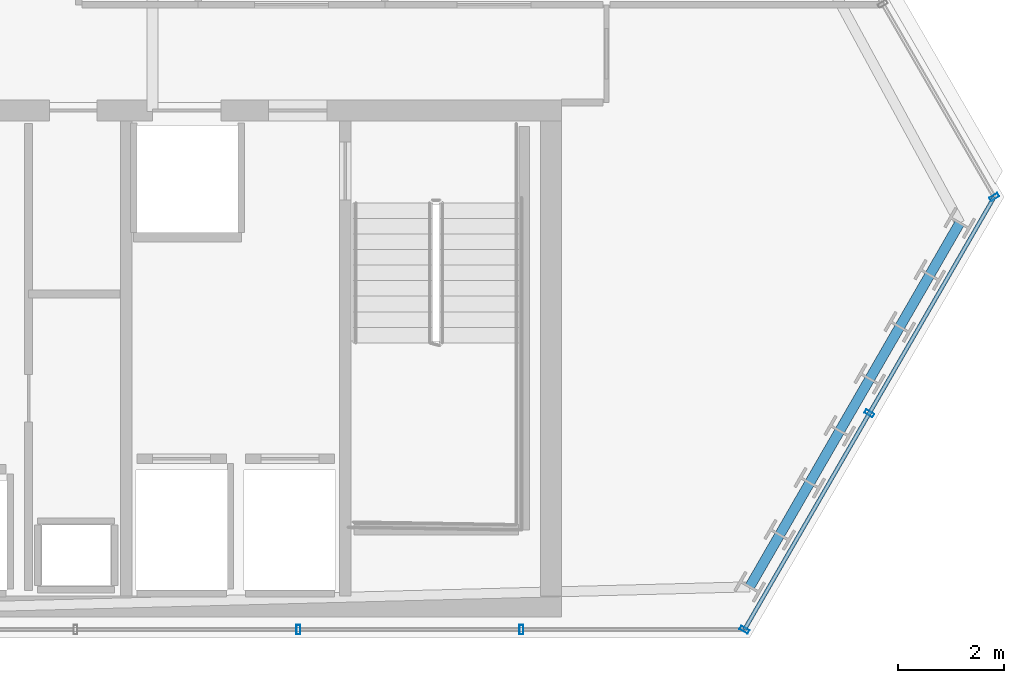
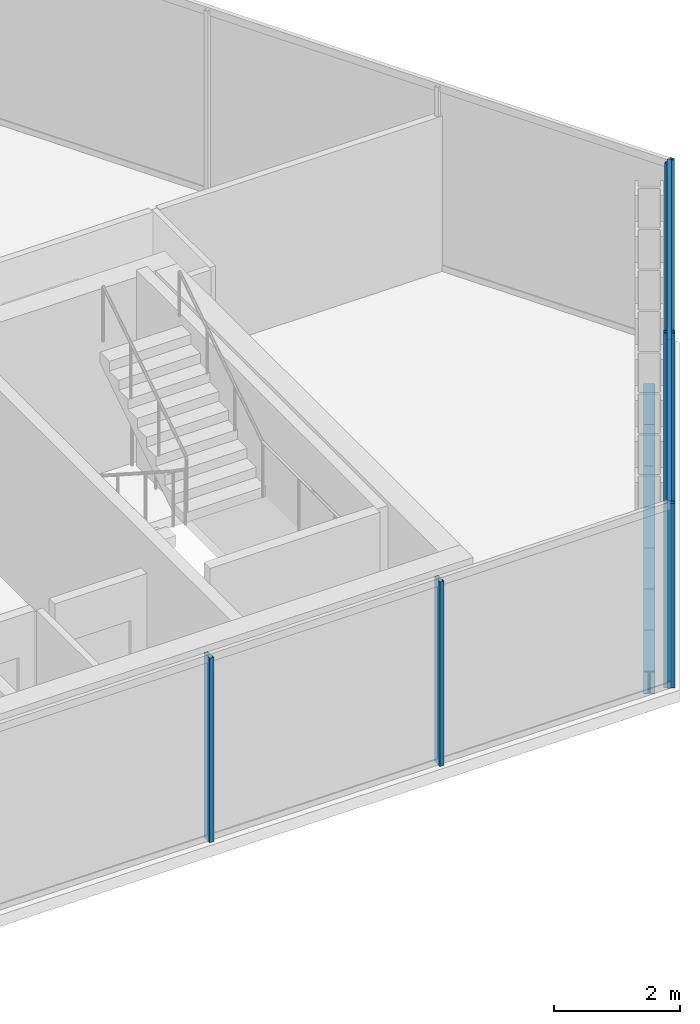
# One storey, part 14 of 33: 7 beams, 7 members, 3 elements without a shape of their own.
"""IFC4 building model written with IfcOpenShell, lengths in metres."""

from ifc_helpers import new_model, si_unit, direction, frame, origin, origin_2d, place, context, subcontext, project, spatial, hollow_rectangle, i_section, extrude, material, layer, layer_set, material_profile, profile_set, type_object, element, aggregate, save


model = new_model("IFC4")

# Units and contexts
model_context = context("Model", 3, precision=1e-05, world=origin(), true_north=direction((0.0, 1.0)))
body_context = subcontext(model_context, "Body", "Model", "MODEL_VIEW")
ifc_project = project(units=[si_unit("LENGTHUNIT", "METRE"), si_unit("AREAUNIT", "SQUARE_METRE"), si_unit("VOLUMEUNIT", "CUBIC_METRE"), si_unit("PLANEANGLEUNIT", "RADIAN"), si_unit("MASSUNIT", "GRAM", prefix="KILO")], contexts=[model_context])

# Site, building, storey
site_placement = place(None, origin())
site = spatial("IfcSite", under=ifc_project, at=site_placement, CompositionType="ELEMENT")
building_placement = place(site_placement, origin())
building = spatial("IfcBuilding", under=site, at=building_placement, Name="Ndaravel Arena Tower", CompositionType="ELEMENT")
storey_placement = place(building_placement, frame((0.0, 0.0, 184.0)))
storey = spatial("IfcBuildingStorey", under=building, at=storey_placement, Name="L44", CompositionType="ELEMENT", Elevation=184.0)

# Beams
ifc_material_1 = material(Name="Steel S355", Category="steel")
ifc_material_profile_1 = material_profile(ifc_material_1, i_section(OverallWidth=0.18994140625, OverallDepth=0.449951171875, WebThickness=0.009521484375, FlangeThickness=0.0146484375, FilletRadius=0.02099609375, at=origin_2d()), Name="IPE 450")
ifc_profile_set_1 = profile_set([ifc_material_profile_1], Name="Steel S355")
beam_type = type_object("IfcBeamType", Name="BM-SPAN-IPE450", PredefinedType="SPANDREL", material=ifc_profile_set_1)
beam_placement = place(storey_placement, frame((61.113525390625, 5.972412109375, -0.445068359375), z_axis=(0.499902065766, 0.866081938758, 0.0), x_axis=(-0.866081938758, 0.499902065766, 0.0)))
element("IfcBeam", 1, at=beam_placement, inside=storey, type_object=beam_type, Name="L44 Perimeter Spandrel Beam SP-02", PredefinedType="SPANDREL", context=body_context, shape_type="SweptSolid", body=[
    extrude(i_section(OverallWidth=0.18994140625, OverallDepth=0.449951171875, WebThickness=0.009521484375, FlangeThickness=0.0146484375, FilletRadius=0.02099609375, at=origin_2d()), origin(), (0.0, 0.0, 1.0), 1.137451171875),
])
for number, where, z_axis, x_axis, name in (
    (2, (61.68212890625, 6.95751953125, -0.445068359375), (0.499995010897, 0.866028284225, 0.0), (-0.866028284225, 0.499995010897, 0.0), "L44 Perimeter Spandrel Beam SP-03"),
    (3, (62.250732421875, 7.9423828125, -0.445068359375), (0.499995010897, 0.866028284225, 0.0), (-0.866028284225, 0.499995010897, 0.0), "L44 Perimeter Spandrel Beam SP-04"),
):
    element("IfcBeam", number, at=place(storey_placement, frame(where, z_axis=z_axis, x_axis=x_axis)), inside=storey, type_object=beam_type, Name=name, PredefinedType="SPANDREL", context=body_context, shape_type="SweptSolid", body=[
        extrude(i_section(OverallWidth=0.18994140625, OverallDepth=0.449951171875, WebThickness=0.009521484375, FlangeThickness=0.0146484375, FilletRadius=0.02099609375, at=origin_2d()), origin(), (0.0, 0.0, 1.0), 1.13720703125),
    ])
for number, where, z_axis, x_axis, name in (
    (4, (62.8193359375, 8.92724609375, -0.445068359375), (0.500155997749, 0.865935319707, 0.0), (-0.865935319707, 0.500155997749, 0.0), "L44 Perimeter Spandrel Beam SP-05"),
    (5, (63.38818359375, 9.912109375, -0.445068359375), (0.499902065766, 0.866081938758, 0.0), (-0.866081938758, 0.499902065766, 0.0), "L44 Perimeter Spandrel Beam SP-06"),
):
    element("IfcBeam", number, at=place(storey_placement, frame(where, z_axis=z_axis, x_axis=x_axis)), inside=storey, type_object=beam_type, Name=name, PredefinedType="SPANDREL", context=body_context, shape_type="SweptSolid", body=[
        extrude(i_section(OverallWidth=0.18994140625, OverallDepth=0.449951171875, WebThickness=0.009521484375, FlangeThickness=0.0146484375, FilletRadius=0.02099609375, at=origin_2d()), origin(), (0.0, 0.0, 1.0), 1.137451171875),
    ])
for number, where, z_axis, x_axis, name in (
    (6, (63.956787109375, 10.897216796875, -0.445068359375), (0.499995010897, 0.866028284225, 0.0), (-0.866028284225, 0.499995010897, 0.0), "L44 Perimeter Spandrel Beam SP-07"),
    (7, (64.525390625, 11.882080078125, -0.445068359375), (0.499995010897, 0.866028284225, 0.0), (-0.866028284225, 0.499995010897, 0.0), "L44 Perimeter Spandrel Beam SP-08"),
):
    element("IfcBeam", number, at=place(storey_placement, frame(where, z_axis=z_axis, x_axis=x_axis)), inside=storey, type_object=beam_type, Name=name, PredefinedType="SPANDREL", context=body_context, shape_type="SweptSolid", body=[
        extrude(i_section(OverallWidth=0.18994140625, OverallDepth=0.449951171875, WebThickness=0.009521484375, FlangeThickness=0.0146484375, FilletRadius=0.02099609375, at=origin_2d()), origin(), (0.0, 0.0, 1.0), 1.13720703125),
    ])

# Curtain wall, members
ifc_material_2 = material(Name="Aluminium", Category="aluminium")
ifc_layer_1 = layer(ifc_material_2, 0.179931640625)
ifc_layer_set_1 = layer_set([ifc_layer_1], Name="Aluminium")
curtain_wall_type_1 = type_object("IfcCurtainWallType", Name="CW-SYS-03", PredefinedType="NOTDEFINED", material=ifc_layer_set_1)
curtain_wall_1_placement = place(storey_placement, origin())
curtain_wall_1 = element("IfcCurtainWall", 8, at=curtain_wall_1_placement, inside=storey, type_object=curtain_wall_type_1, Name="L44 Faceted Crystal Curtain Wall CW-L44-E01", PredefinedType="NOTDEFINED")
ifc_material_3 = material(Name="Aluminium", Category="aluminium")
ifc_material_profile_2 = material_profile(ifc_material_3, hollow_rectangle(XDim=0.074951171875, YDim=0.179931640625, WallThickness=0.00390625, at=origin_2d()), Name="CW MULLION 75x180x4")
ifc_profile_set_2 = profile_set([ifc_material_profile_2], Name="Aluminium")
member_type_1 = type_object("IfcMemberType", Name="MEM-CW-MUL180", PredefinedType="MULLION", material=ifc_profile_set_2)
member_1_placement = place(storey_placement, frame((52.563232421875, 5.159912109375, 0.0), z_axis=(0.0, 0.0, 1.0), x_axis=(1.0, 0.0, 0.0)))
member_1 = element("IfcMember", 9, at=member_1_placement, type_object=member_type_1, Name="CW-L44-E01 Mullion 07", PredefinedType="MULLION", context=body_context, shape_type="SweptSolid", body=[
    extrude(hollow_rectangle(XDim=0.074951171875, YDim=0.179931640625, WallThickness=0.00390625, at=origin_2d()), origin(), (0.0, 0.0, 1.0), 3.580078125),
])
member_2_placement = place(storey_placement, frame((56.78857421875, 5.159912109375, 0.0), z_axis=(0.0, 0.0, 1.0), x_axis=(1.0, 0.0, 0.0)))
member_2 = element("IfcMember", 10, at=member_2_placement, type_object=member_type_1, Name="CW-L44-E01 Mullion 08", PredefinedType="MULLION", context=body_context, shape_type="SweptSolid", body=[
    extrude(hollow_rectangle(XDim=0.074951171875, YDim=0.179931640625, WallThickness=0.00390625, at=origin_2d()), origin(), (0.0, 0.0, 1.0), 3.580078125),
])
aggregate(curtain_wall_1, [member_1, member_2])

ifc_material_4 = material(Name="Aluminium", Category="aluminium")
ifc_layer_2 = layer(ifc_material_4, 0.179931640625)
ifc_layer_set_2 = layer_set([ifc_layer_2], Name="Aluminium")
curtain_wall_type_2 = type_object("IfcCurtainWallType", Name="CW-SYS-01", PredefinedType="NOTDEFINED", material=ifc_layer_set_2)
curtain_wall_2_placement = place(storey_placement, origin())
curtain_wall_2 = element("IfcCurtainWall", 11, at=curtain_wall_2_placement, inside=storey, type_object=curtain_wall_type_2, Name="L44 Faceted Crystal Curtain Wall CW-L44-E02", PredefinedType="NOTDEFINED")
member_3_placement = place(storey_placement, frame((61.013916015625, 5.159912109375, 0.0), z_axis=(0.0, 0.0, 1.0), x_axis=(0.5, 0.866025403784, 0.0)))
member_3 = element("IfcMember", 12, at=member_3_placement, type_object=member_type_1, Name="CW-L44-E02 Mullion 00", PredefinedType="MULLION", context=body_context, shape_type="SweptSolid", body=[
    extrude(hollow_rectangle(XDim=0.074951171875, YDim=0.179931640625, WallThickness=0.00390625, at=origin_2d()), origin(), (0.0, 0.0, 1.0), 3.580078125),
])
member_4_placement = place(storey_placement, frame((63.380859375, 9.259765625, 0.0), z_axis=(0.0, 0.0, 1.0), x_axis=(0.5, 0.866025403784, 0.0)))
member_4 = element("IfcMember", 13, at=member_4_placement, type_object=member_type_1, Name="CW-L44-E02 Mullion 01", PredefinedType="MULLION", context=body_context, shape_type="SweptSolid", body=[
    extrude(hollow_rectangle(XDim=0.074951171875, YDim=0.179931640625, WallThickness=0.00390625, at=origin_2d()), origin(), (0.0, 0.0, 1.0), 3.580078125),
])

# Curtain wall, member
curtain_wall_3_placement = place(storey_placement, origin())
curtain_wall_3 = element("IfcCurtainWall", 14, at=curtain_wall_3_placement, inside=storey, type_object=curtain_wall_type_1, Name="L44 Faceted Crystal Curtain Wall CW-L44-E03", PredefinedType="NOTDEFINED")
member_5_placement = place(storey_placement, frame((65.747802734375, 13.359375, 0.0), z_axis=(0.0, 0.0, 1.0), x_axis=(-0.5, 0.866025403784, 0.0)))
member_5 = element("IfcMember", 15, at=member_5_placement, type_object=member_type_1, Name="CW-L44-E03 Mullion 00", PredefinedType="MULLION", context=body_context, shape_type="SweptSolid", body=[
    extrude(hollow_rectangle(XDim=0.074951171875, YDim=0.179931640625, WallThickness=0.00390625, at=origin_2d()), origin(), (0.0, 0.0, 1.0), 3.580078125),
])
aggregate(curtain_wall_3, [member_5])

# Member
ifc_material_5 = material(Name="Aluminium", Category="aluminium")
ifc_material_profile_3 = material_profile(ifc_material_5, hollow_rectangle(XDim=0.074951171875, YDim=0.14990234375, WallThickness=0.00390625, at=origin_2d()), Name="CW TRANSOM 75x150x4")
ifc_profile_set_3 = profile_set([ifc_material_profile_3], Name="Aluminium")
member_type_2 = type_object("IfcMemberType", Name="MEM-CW-TRN150", PredefinedType="USERDEFINED", material=ifc_profile_set_3)
member_6_placement = place(storey_placement, frame((61.013916015625, 5.159912109375, 0.0400390625), z_axis=(0.499994028088, 0.866028851642, 0.0), x_axis=(-0.866028851642, 0.499994028088, 0.0)))
member_6 = element("IfcMember", 16, at=member_6_placement, type_object=member_type_2, Name="CW-L44-E02 Transom 01", ObjectType="TRANSOM", PredefinedType="USERDEFINED", context=body_context, shape_type="SweptSolid", body=[
    extrude(hollow_rectangle(XDim=0.074951171875, YDim=0.14990234375, WallThickness=0.00390625, at=origin_2d()), origin(), (0.0, 0.0, 1.0), 9.4677734375),
])

member_7_placement = place(storey_placement, frame((61.013916015625, 5.159912109375, 3.5400390625), z_axis=(0.499994028088, 0.866028851642, 0.0), x_axis=(-0.866028851642, 0.499994028088, 0.0)))
member_7 = element("IfcMember", 17, at=member_7_placement, type_object=member_type_2, Name="CW-L44-E02 Transom 02", ObjectType="TRANSOM", PredefinedType="USERDEFINED", context=body_context, shape_type="SweptSolid", body=[
    extrude(hollow_rectangle(XDim=0.074951171875, YDim=0.14990234375, WallThickness=0.00390625, at=origin_2d()), origin(), (0.0, 0.0, 1.0), 9.4677734375),
])

aggregate(curtain_wall_2, [member_3, member_4, member_6, member_7])

save(model, "model.ifc")
